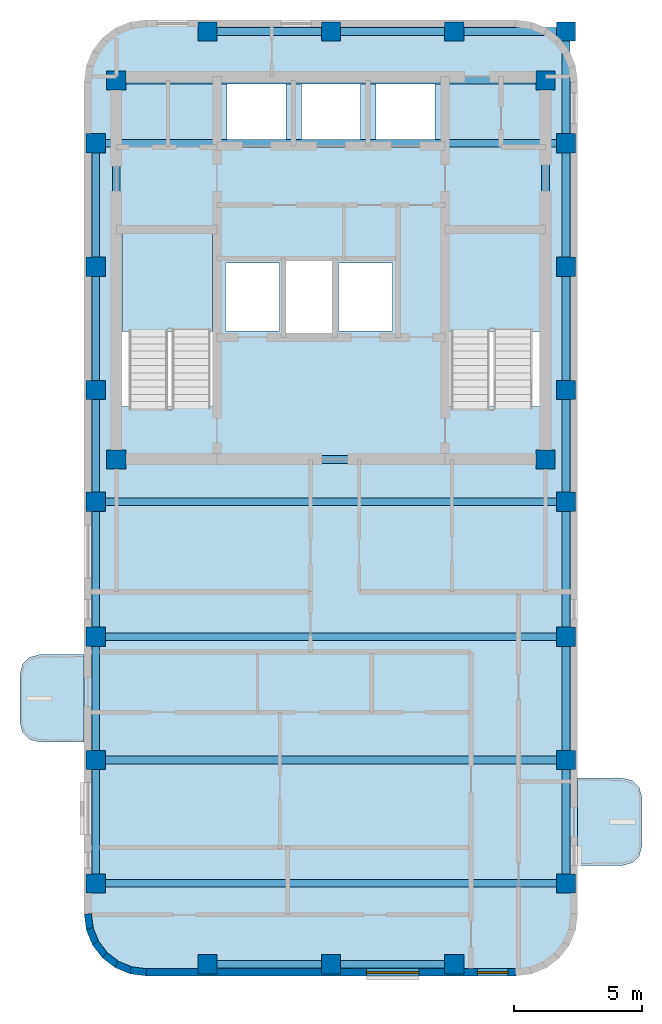
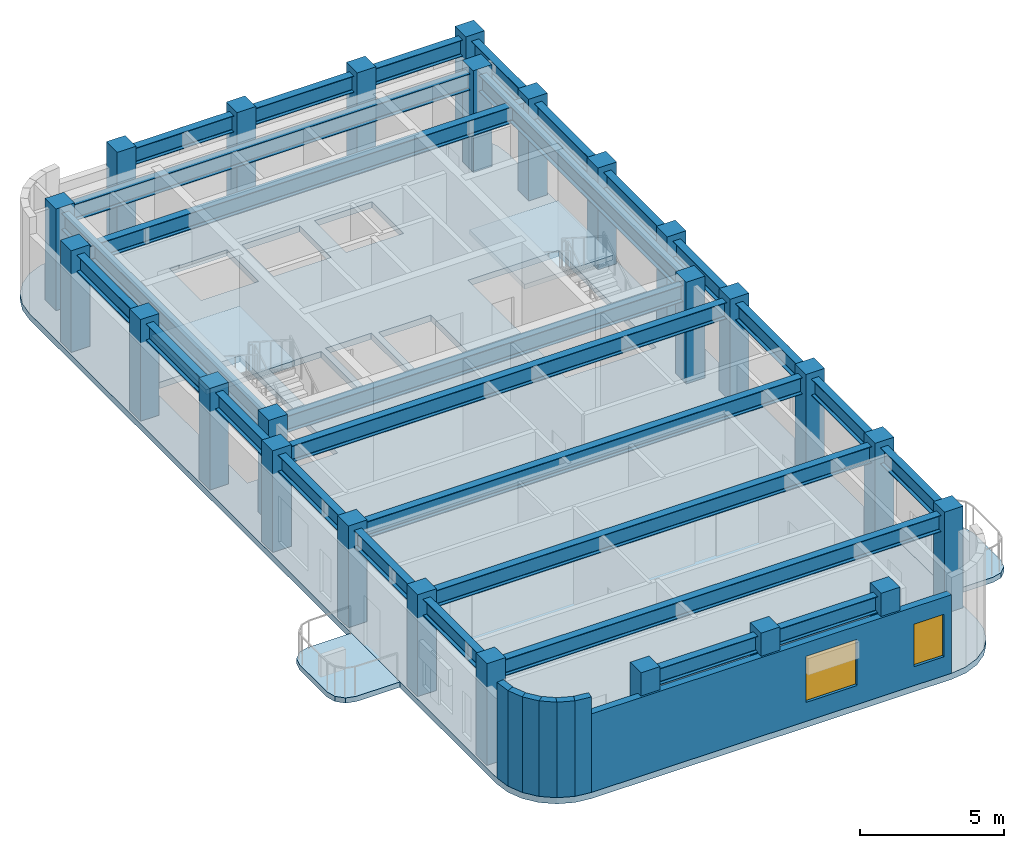
# One storey, part 1 of 5: 27 beams, 25 columns, 7 walls, 5 slabs, 2 windows, 2 openings, 2 elements without a shape of their own.
"""IFC4 building model written with IfcOpenShell, lengths in metres."""

from ifc_helpers import new_model, si_unit, direction, frame, frame_2d, origin, origin_2d, place, context, subcontext, project, spatial, polyline, rectangle, i_section, outline, extrude, material, layer, layer_set, material_profile, profile_set, type_object, element, fill, aggregate, save


model = new_model("IFC4")

# Units and contexts
model_context = context("Model", 3, precision=1e-05, world=origin(), true_north=direction((0.0, 1.0)))
body_context = subcontext(model_context, "Body", "Model", "MODEL_VIEW")
ifc_project = project(units=[si_unit("LENGTHUNIT", "METRE"), si_unit("AREAUNIT", "SQUARE_METRE"), si_unit("VOLUMEUNIT", "CUBIC_METRE"), si_unit("PLANEANGLEUNIT", "RADIAN"), si_unit("MASSUNIT", "GRAM", prefix="KILO")], contexts=[model_context])

# Site, building, storey
site_placement = place(None, origin())
site = spatial("IfcSite", under=ifc_project, at=site_placement, CompositionType="ELEMENT")
building_placement = place(site_placement, origin())
building = spatial("IfcBuilding", under=site, at=building_placement, Name="Orvandelia Arch Residences", CompositionType="ELEMENT")
storey_placement = place(building_placement, frame((0.0, 0.0, 282.800048828125)))
storey = spatial("IfcBuildingStorey", under=building, at=storey_placement, Name="L73", CompositionType="ELEMENT", Elevation=282.800048828125)

# Columns
ifc_material_1 = material(Name="Concrete C50/60", Category="concrete")
ifc_material_profile_1 = material_profile(ifc_material_1, rectangle(XDim=0.75, YDim=0.75, at=origin_2d()), Name="Concrete C50/60", Category="concrete")
ifc_profile_set_1 = profile_set([ifc_material_profile_1], Name="Concrete C50/60")
column_type = type_object("IfcColumnType", Name="COL-TWR-750", PredefinedType="COLUMN", material=ifc_profile_set_1)
for number, where, z_axis, x_axis, name in (
    (1, (5.25, 14.39990234375, 0.0), (0.0, 0.0, 1.0), (1.0, 0.0, 0.0), "Structural Column L73-W-W-144"),
    (2, (5.25, 19.199951171875, 0.0), (0.0, 0.0, 1.0), (1.0, 0.0, 0.0), "Structural Column L73-W-W-192"),
    (3, (5.25, 24.0, 0.0), (0.0, 0.0, 1.0), (1.0, 0.0, 0.0), "Structural Column L73-W-W-240"),
    (4, (5.25, 29.25, 0.0), (0.0, 0.0, 1.0), (1.0, 0.0, 0.0), "Structural Column L73-W-W-292"),
    (5, (5.25, 33.60009765625, 0.0), (0.0, 0.0, 1.0), (1.0, 0.0, 0.0), "Structural Column L73-W-W-336"),
    (6, (5.25, 38.39990234375, 0.0), (0.0, 0.0, 1.0), (1.0, 0.0, 0.0), "Structural Column L73-W-W-384"),
    (7, (5.25, 43.199951171875, 0.0), (0.0, 0.0, 1.0), (1.0, 0.0, 0.0), "Structural Column L73-W-W-432"),
    (8, (6.050048828125, 30.89990234375, 0.0), (0.0, 0.0, 1.0), (1.0, 0.0, 0.0), "Structural Column L73-CR-SW"),
    (9, (6.050048828125, 45.64990234375, 0.0), (0.0, 0.0, 1.0), (1.0, 0.0, 0.0), "Structural Column L73-CR-NW"),
    (10, (9.60009765625, 11.25, 0.0), (0.0, 0.0, 1.0), (1.0, 0.0, 0.0), "Structural Column L73-W-S-96"),
    (11, (9.60009765625, 47.550048828125, 0.0), (0.0, 0.0, 1.0), (1.0, 0.0, 0.0), "Structural Column L73-W-N-96"),
    (12, (14.39990234375, 11.25, 0.0), (0.0, 0.0, 1.0), (1.0, 0.0, 0.0), "Structural Column L73-W-S-144"),
    (13, (14.39990234375, 47.550048828125, 0.0), (0.0, 0.0, 1.0), (1.0, 0.0, 0.0), "Structural Column L73-W-N-144"),
    (14, (19.199951171875, 11.25, 0.0), (0.0, 0.0, 1.0), (1.0, 0.0, 0.0), "Structural Column L73-W-S-192"),
    (15, (19.199951171875, 47.550048828125, 0.0), (0.0, 0.0, 1.0), (1.0, 0.0, 0.0), "Structural Column L73-W-N-192"),
    (16, (22.75, 30.89990234375, 0.0), (0.0, 0.0, 1.0), (1.0, 0.0, 0.0), "Structural Column L73-CR-SE"),
    (17, (22.75, 45.64990234375, 0.0), (0.0, 0.0, 1.0), (1.0, 0.0, 0.0), "Structural Column L73-CR-NE"),
    (18, (23.550048828125, 14.39990234375, 0.0), (0.0, 0.0, 1.0), (1.0, 0.0, 0.0), "Structural Column L73-W-E-144"),
    (19, (23.550048828125, 19.199951171875, 0.0), (0.0, 0.0, 1.0), (1.0, 0.0, 0.0), "Structural Column L73-W-E-192"),
    (20, (23.550048828125, 24.0, 0.0), (0.0, 0.0, 1.0), (1.0, 0.0, 0.0), "Structural Column L73-W-E-240"),
    (21, (23.550048828125, 29.25, 0.0), (0.0, 0.0, 1.0), (1.0, 0.0, 0.0), "Structural Column L73-W-E-292"),
    (22, (23.550048828125, 33.60009765625, 0.0), (0.0, 0.0, 1.0), (1.0, 0.0, 0.0), "Structural Column L73-W-E-336"),
    (23, (23.550048828125, 38.39990234375, 0.0), (0.0, 0.0, 1.0), (1.0, 0.0, 0.0), "Structural Column L73-W-E-384"),
    (24, (23.550048828125, 43.199951171875, 0.0), (0.0, 0.0, 1.0), (1.0, 0.0, 0.0), "Structural Column L73-W-E-432"),
    (25, (23.550048828125, 47.550048828125, 0.0), (0.0, 0.0, 1.0), (1.0, 0.0, 0.0), "Structural Column L73-W-N-235"),
):
    element("IfcColumn", number, at=place(storey_placement, frame(where, z_axis=z_axis, x_axis=x_axis)), inside=storey, type_object=column_type, Name=name, PredefinedType="COLUMN", context=body_context, shape_type="SweptSolid", body=[
        extrude(rectangle(XDim=0.75, YDim=0.75, at=origin_2d()), origin(), (0.0, 0.0, 1.0), 4.300048828125),
    ])

# Beams
ifc_material_2 = material(Name="Structural Steel SM355 (355 MPa)", Category="steel")
ifc_material_profile_2 = material_profile(ifc_material_2, i_section(OverallWidth=0.300048828125, OverallDepth=0.699951171875, WebThickness=0.012939453125, FlangeThickness=0.02392578125, FilletRadius=0.02392578125, at=origin_2d()), Name="Structural Steel SM355 (355 MPa)", Category="steel")
ifc_profile_set_2 = profile_set([ifc_material_profile_2], Name="Structural Steel SM355 (355 MPa)")
beam_type = type_object("IfcBeamType", Name="BM-GRD-H700", PredefinedType="BEAM", material=ifc_profile_set_2)
for number, where, z_axis, x_axis, name in (
    (26, (5.25, 14.39990234375, 3.68994140625), (0.0, 1.0, 0.0), (-1.0, 0.0, 0.0), "Structural Frame Beam L73-NS-001"),
    (27, (5.25, 19.199951171875, 3.68994140625), (0.0, 1.0, 0.0), (-1.0, 0.0, 0.0), "Structural Frame Beam L73-NS-002"),
):
    element("IfcBeam", number, at=place(storey_placement, frame(where, z_axis=z_axis, x_axis=x_axis)), inside=storey, type_object=beam_type, Name=name, PredefinedType="BEAM", context=body_context, shape_type="SweptSolid", body=[
        extrude(i_section(OverallWidth=0.300048828125, OverallDepth=0.699951171875, WebThickness=0.012939453125, FlangeThickness=0.02392578125, FilletRadius=0.02392578125, at=origin_2d()), origin(), (0.0, 0.0, 1.0), 4.800048828125),
    ])
beam_1_placement = place(storey_placement, frame((5.25, 24.0, 3.68994140625), z_axis=(0.0, 1.0, 0.0), x_axis=(-1.0, 0.0, 0.0)))
element("IfcBeam", 28, at=beam_1_placement, inside=storey, type_object=beam_type, Name="Structural Frame Beam L73-NS-003", PredefinedType="BEAM", context=body_context, shape_type="SweptSolid", body=[
    extrude(i_section(OverallWidth=0.300048828125, OverallDepth=0.699951171875, WebThickness=0.012939453125, FlangeThickness=0.02392578125, FilletRadius=0.02392578125, at=origin_2d()), origin(), (0.0, 0.0, 1.0), 5.25),
])
beam_2_placement = place(storey_placement, frame((5.25, 29.25, 3.68994140625), z_axis=(0.0, 1.0, 0.0), x_axis=(-1.0, 0.0, 0.0)))
element("IfcBeam", 29, at=beam_2_placement, inside=storey, type_object=beam_type, Name="Structural Frame Beam L73-NS-004", PredefinedType="BEAM", context=body_context, shape_type="SweptSolid", body=[
    extrude(i_section(OverallWidth=0.300048828125, OverallDepth=0.699951171875, WebThickness=0.012939453125, FlangeThickness=0.02392578125, FilletRadius=0.02392578125, at=origin_2d()), origin(), (0.0, 0.0, 1.0), 4.35009765625),
])
beam_3_placement = place(storey_placement, frame((5.25, 33.60009765625, 3.68994140625), z_axis=(0.0, 1.0, 0.0), x_axis=(-1.0, 0.0, 0.0)))
element("IfcBeam", 30, at=beam_3_placement, inside=storey, type_object=beam_type, Name="Structural Frame Beam L73-NS-005", PredefinedType="BEAM", context=body_context, shape_type="SweptSolid", body=[
    extrude(i_section(OverallWidth=0.300048828125, OverallDepth=0.699951171875, WebThickness=0.012939453125, FlangeThickness=0.02392578125, FilletRadius=0.02392578125, at=origin_2d()), origin(), (0.0, 0.0, 1.0), 4.7998046875),
])
beam_4_placement = place(storey_placement, frame((5.25, 38.39990234375, 3.68994140625), z_axis=(0.0, 1.0, 0.0), x_axis=(-1.0, 0.0, 0.0)))
element("IfcBeam", 31, at=beam_4_placement, inside=storey, type_object=beam_type, Name="Structural Frame Beam L73-NS-006", PredefinedType="BEAM", context=body_context, shape_type="SweptSolid", body=[
    extrude(i_section(OverallWidth=0.300048828125, OverallDepth=0.699951171875, WebThickness=0.012939453125, FlangeThickness=0.02392578125, FilletRadius=0.02392578125, at=origin_2d()), origin(), (0.0, 0.0, 1.0), 4.800048828125),
])
for number, where, z_axis, x_axis, name in (
    (32, (6.050048828125, 30.89990234375, 3.68994140625), (0.0, 1.0, 0.0), (-1.0, 0.0, 0.0), "Structural Frame Beam L73-NS-007"),
    (33, (22.75, 30.89990234375, 3.68994140625), (0.0, 1.0, 0.0), (-1.0, 0.0, 0.0), "Structural Frame Beam L73-NS-008"),
):
    element("IfcBeam", number, at=place(storey_placement, frame(where, z_axis=z_axis, x_axis=x_axis)), inside=storey, type_object=beam_type, Name=name, PredefinedType="BEAM", context=body_context, shape_type="SweptSolid", body=[
        extrude(i_section(OverallWidth=0.300048828125, OverallDepth=0.699951171875, WebThickness=0.012939453125, FlangeThickness=0.02392578125, FilletRadius=0.02392578125, at=origin_2d()), origin(), (0.0, 0.0, 1.0), 14.75),
    ])
for number, where, z_axis, x_axis, name in (
    (34, (23.550048828125, 14.39990234375, 3.68994140625), (0.0, 1.0, 0.0), (-1.0, 0.0, 0.0), "Structural Frame Beam L73-NS-009"),
    (35, (23.550048828125, 19.199951171875, 3.68994140625), (0.0, 1.0, 0.0), (-1.0, 0.0, 0.0), "Structural Frame Beam L73-NS-010"),
):
    element("IfcBeam", number, at=place(storey_placement, frame(where, z_axis=z_axis, x_axis=x_axis)), inside=storey, type_object=beam_type, Name=name, PredefinedType="BEAM", context=body_context, shape_type="SweptSolid", body=[
        extrude(i_section(OverallWidth=0.300048828125, OverallDepth=0.699951171875, WebThickness=0.012939453125, FlangeThickness=0.02392578125, FilletRadius=0.02392578125, at=origin_2d()), origin(), (0.0, 0.0, 1.0), 4.800048828125),
    ])
beam_5_placement = place(storey_placement, frame((23.550048828125, 24.0, 3.68994140625), z_axis=(0.0, 1.0, 0.0), x_axis=(-1.0, 0.0, 0.0)))
element("IfcBeam", 36, at=beam_5_placement, inside=storey, type_object=beam_type, Name="Structural Frame Beam L73-NS-011", PredefinedType="BEAM", context=body_context, shape_type="SweptSolid", body=[
    extrude(i_section(OverallWidth=0.300048828125, OverallDepth=0.699951171875, WebThickness=0.012939453125, FlangeThickness=0.02392578125, FilletRadius=0.02392578125, at=origin_2d()), origin(), (0.0, 0.0, 1.0), 5.25),
])
beam_6_placement = place(storey_placement, frame((23.550048828125, 29.25, 3.68994140625), z_axis=(0.0, 1.0, 0.0), x_axis=(-1.0, 0.0, 0.0)))
element("IfcBeam", 37, at=beam_6_placement, inside=storey, type_object=beam_type, Name="Structural Frame Beam L73-NS-012", PredefinedType="BEAM", context=body_context, shape_type="SweptSolid", body=[
    extrude(i_section(OverallWidth=0.300048828125, OverallDepth=0.699951171875, WebThickness=0.012939453125, FlangeThickness=0.02392578125, FilletRadius=0.02392578125, at=origin_2d()), origin(), (0.0, 0.0, 1.0), 4.35009765625),
])
beam_7_placement = place(storey_placement, frame((23.550048828125, 33.60009765625, 3.68994140625), z_axis=(0.0, 1.0, 0.0), x_axis=(-1.0, 0.0, 0.0)))
element("IfcBeam", 38, at=beam_7_placement, inside=storey, type_object=beam_type, Name="Structural Frame Beam L73-NS-013", PredefinedType="BEAM", context=body_context, shape_type="SweptSolid", body=[
    extrude(i_section(OverallWidth=0.300048828125, OverallDepth=0.699951171875, WebThickness=0.012939453125, FlangeThickness=0.02392578125, FilletRadius=0.02392578125, at=origin_2d()), origin(), (0.0, 0.0, 1.0), 4.7998046875),
])
beam_8_placement = place(storey_placement, frame((23.550048828125, 38.39990234375, 3.68994140625), z_axis=(0.0, 1.0, 0.0), x_axis=(-1.0, 0.0, 0.0)))
element("IfcBeam", 39, at=beam_8_placement, inside=storey, type_object=beam_type, Name="Structural Frame Beam L73-NS-014", PredefinedType="BEAM", context=body_context, shape_type="SweptSolid", body=[
    extrude(i_section(OverallWidth=0.300048828125, OverallDepth=0.699951171875, WebThickness=0.012939453125, FlangeThickness=0.02392578125, FilletRadius=0.02392578125, at=origin_2d()), origin(), (0.0, 0.0, 1.0), 4.800048828125),
])
beam_9_placement = place(storey_placement, frame((23.550048828125, 43.199951171875, 3.68994140625), z_axis=(0.0, 1.0, 0.0), x_axis=(-1.0, 0.0, 0.0)))
element("IfcBeam", 40, at=beam_9_placement, inside=storey, type_object=beam_type, Name="Structural Frame Beam L73-NS-015", PredefinedType="BEAM", context=body_context, shape_type="SweptSolid", body=[
    extrude(i_section(OverallWidth=0.300048828125, OverallDepth=0.699951171875, WebThickness=0.012939453125, FlangeThickness=0.02392578125, FilletRadius=0.02392578125, at=origin_2d()), origin(), (0.0, 0.0, 1.0), 4.35009765625),
])
beam_10_placement = place(storey_placement, frame((9.60009765625, 11.25, 3.68994140625), z_axis=(1.0, 0.0, 0.0), x_axis=(0.0, 1.0, 0.0)))
element("IfcBeam", 41, at=beam_10_placement, inside=storey, type_object=beam_type, Name="Structural Frame Girder L73-EW-016", PredefinedType="BEAM", context=body_context, shape_type="SweptSolid", body=[
    extrude(i_section(OverallWidth=0.300048828125, OverallDepth=0.699951171875, WebThickness=0.012939453125, FlangeThickness=0.02392578125, FilletRadius=0.02392578125, at=origin_2d()), origin(), (0.0, 0.0, 1.0), 4.7998046875),
])
beam_11_placement = place(storey_placement, frame((14.39990234375, 11.25, 3.68994140625), z_axis=(1.0, 0.0, 0.0), x_axis=(0.0, 1.0, 0.0)))
element("IfcBeam", 42, at=beam_11_placement, inside=storey, type_object=beam_type, Name="Structural Frame Girder L73-EW-017", PredefinedType="BEAM", context=body_context, shape_type="SweptSolid", body=[
    extrude(i_section(OverallWidth=0.300048828125, OverallDepth=0.699951171875, WebThickness=0.012939453125, FlangeThickness=0.02392578125, FilletRadius=0.02392578125, at=origin_2d()), origin(), (0.0, 0.0, 1.0), 4.800048828125),
])
for number, where, z_axis, x_axis, name in (
    (43, (5.25, 14.39990234375, 3.68994140625), (1.0, 0.0, 0.0), (0.0, 1.0, 0.0), "Structural Frame Girder L73-EW-018"),
    (44, (5.25, 19.199951171875, 3.68994140625), (1.0, 0.0, 0.0), (0.0, 1.0, 0.0), "Structural Frame Girder L73-EW-019"),
    (45, (5.25, 24.0, 3.68994140625), (1.0, 0.0, 0.0), (0.0, 1.0, 0.0), "Structural Frame Girder L73-EW-020"),
    (46, (5.25, 29.25, 3.68994140625), (1.0, 0.0, 0.0), (0.0, 1.0, 0.0), "Structural Frame Girder L73-EW-021"),
):
    element("IfcBeam", number, at=place(storey_placement, frame(where, z_axis=z_axis, x_axis=x_axis)), inside=storey, type_object=beam_type, Name=name, PredefinedType="BEAM", context=body_context, shape_type="SweptSolid", body=[
        extrude(i_section(OverallWidth=0.300048828125, OverallDepth=0.699951171875, WebThickness=0.012939453125, FlangeThickness=0.02392578125, FilletRadius=0.02392578125, at=origin_2d()), origin(), (0.0, 0.0, 1.0), 18.300048828125),
    ])
beam_12_placement = place(storey_placement, frame((6.050048828125, 30.89990234375, 3.68994140625), z_axis=(1.0, 0.0, 0.0), x_axis=(0.0, 1.0, 0.0)))
element("IfcBeam", 47, at=beam_12_placement, inside=storey, type_object=beam_type, Name="Structural Frame Girder L73-EW-022", PredefinedType="BEAM", context=body_context, shape_type="SweptSolid", body=[
    extrude(i_section(OverallWidth=0.300048828125, OverallDepth=0.699951171875, WebThickness=0.012939453125, FlangeThickness=0.02392578125, FilletRadius=0.02392578125, at=origin_2d()), origin(), (0.0, 0.0, 1.0), 16.699951171875),
])
beam_13_placement = place(storey_placement, frame((5.25, 43.199951171875, 3.68994140625), z_axis=(1.0, 0.0, 0.0), x_axis=(0.0, 1.0, 0.0)))
element("IfcBeam", 48, at=beam_13_placement, inside=storey, type_object=beam_type, Name="Structural Frame Girder L73-EW-025", PredefinedType="BEAM", context=body_context, shape_type="SweptSolid", body=[
    extrude(i_section(OverallWidth=0.300048828125, OverallDepth=0.699951171875, WebThickness=0.012939453125, FlangeThickness=0.02392578125, FilletRadius=0.02392578125, at=origin_2d()), origin(), (0.0, 0.0, 1.0), 18.300048828125),
])
beam_14_placement = place(storey_placement, frame((6.050048828125, 45.64990234375, 3.68994140625), z_axis=(1.0, 0.0, 0.0), x_axis=(0.0, 1.0, 0.0)))
element("IfcBeam", 49, at=beam_14_placement, inside=storey, type_object=beam_type, Name="Structural Frame Girder L73-EW-026", PredefinedType="BEAM", context=body_context, shape_type="SweptSolid", body=[
    extrude(i_section(OverallWidth=0.300048828125, OverallDepth=0.699951171875, WebThickness=0.012939453125, FlangeThickness=0.02392578125, FilletRadius=0.02392578125, at=origin_2d()), origin(), (0.0, 0.0, 1.0), 16.699951171875),
])
beam_15_placement = place(storey_placement, frame((9.60009765625, 47.550048828125, 3.68994140625), z_axis=(1.0, 0.0, 0.0), x_axis=(0.0, 1.0, 0.0)))
element("IfcBeam", 50, at=beam_15_placement, inside=storey, type_object=beam_type, Name="Structural Frame Girder L73-EW-027", PredefinedType="BEAM", context=body_context, shape_type="SweptSolid", body=[
    extrude(i_section(OverallWidth=0.300048828125, OverallDepth=0.699951171875, WebThickness=0.012939453125, FlangeThickness=0.02392578125, FilletRadius=0.02392578125, at=origin_2d()), origin(), (0.0, 0.0, 1.0), 4.7998046875),
])
beam_16_placement = place(storey_placement, frame((14.39990234375, 47.550048828125, 3.68994140625), z_axis=(1.0, 0.0, 0.0), x_axis=(0.0, 1.0, 0.0)))
element("IfcBeam", 51, at=beam_16_placement, inside=storey, type_object=beam_type, Name="Structural Frame Girder L73-EW-028", PredefinedType="BEAM", context=body_context, shape_type="SweptSolid", body=[
    extrude(i_section(OverallWidth=0.300048828125, OverallDepth=0.699951171875, WebThickness=0.012939453125, FlangeThickness=0.02392578125, FilletRadius=0.02392578125, at=origin_2d()), origin(), (0.0, 0.0, 1.0), 4.800048828125),
])
beam_17_placement = place(storey_placement, frame((19.199951171875, 47.550048828125, 3.68994140625), z_axis=(1.0, 0.0, 0.0), x_axis=(0.0, 1.0, 0.0)))
element("IfcBeam", 52, at=beam_17_placement, inside=storey, type_object=beam_type, Name="Structural Frame Girder L73-EW-029", PredefinedType="BEAM", context=body_context, shape_type="SweptSolid", body=[
    extrude(i_section(OverallWidth=0.300048828125, OverallDepth=0.699951171875, WebThickness=0.012939453125, FlangeThickness=0.02392578125, FilletRadius=0.02392578125, at=origin_2d()), origin(), (0.0, 0.0, 1.0), 4.35009765625),
])

# Slabs
ifc_material_3 = material(Name="Precast concrete C40/50", Category="concrete")
ifc_layer_1 = layer(ifc_material_3, 0.219970703125, Name="Precast concrete C40/50", Category="concrete")
ifc_layer_set_1 = layer_set([ifc_layer_1], Name="Precast concrete C40/50")
slab_type_1 = type_object("IfcSlabType", Name="SLB-BAL-220", PredefinedType="USERDEFINED", material=ifc_layer_set_1)
slab_1_placement = place(storey_placement, frame((0.0, 0.0, -0.219970703125)))
element("IfcSlab", 53, at=slab_1_placement, inside=storey, type_object=slab_type_1, Name="Tree Balcony Cantilever Slab BAL-L73-W1", ObjectType="BALCONY", PredefinedType="USERDEFINED", context=body_context, shape_type="SweptSolid", body=[
    extrude(outline(polyline([(4.800048828125, 19.89990234375), (4.800048828125, 23.300048828125), (3.050048828125, 23.300048828125), (2.675048828125, 23.199462890625), (2.400390625, 22.925048828125), (2.300048828125, 22.550048828125), (2.300048828125, 20.64990234375), (2.400390625, 20.27490234375), (2.675048828125, 20.00048828125), (3.050048828125, 19.89990234375), (4.800048828125, 19.89990234375)])), origin(), (0.0, 0.0, 1.0), 0.219970703125),
])
slab_2_placement = place(storey_placement, frame((0.0, 0.0, -0.219970703125)))
element("IfcSlab", 54, at=slab_2_placement, inside=storey, type_object=slab_type_1, Name="Tree Balcony Cantilever Slab BAL-L73-W2", ObjectType="BALCONY", PredefinedType="USERDEFINED", context=body_context, shape_type="SweptSolid", body=[
    extrude(outline(polyline([(24.0, 18.5), (24.0, 15.10009765625), (25.75, 15.10009765625), (26.125, 15.200439453125), (26.3994140625, 15.47509765625), (26.5, 15.85009765625), (26.5, 17.75), (26.3994140625, 18.125), (26.125, 18.3994140625), (25.75, 18.5), (24.0, 18.5)])), origin(), (0.0, 0.0, 1.0), 0.219970703125),
])

# Stair, slab
ifc_material_4 = material(Name="Concrete C40/50", Category="concrete")
stair_type = type_object("IfcStairType", Name="STAIR-RC-DOGLEG", PredefinedType="HALF_TURN_STAIR", material=ifc_material_4)
stair_1_placement = place(storey_placement, origin())
stair_1 = element("IfcStair", 55, at=stair_1_placement, inside=storey, type_object=stair_type, Name="L73 Protected Exit Stair ST-1", PredefinedType="HALF_TURN_STAIR")
ifc_layer_2 = layer(ifc_material_4, 0.219970703125, Name="Concrete C40/50", Category="concrete")
ifc_layer_set_2 = layer_set([ifc_layer_2], Name="Concrete C40/50")
slab_type_2 = type_object("IfcSlabType", Name="SLB-LANDING-220", PredefinedType="LANDING", material=ifc_layer_set_2)
slab_3_placement = place(storey_placement, frame((0.0, 0.0, 1.949951171875)))
slab_3 = element("IfcSlab", 56, at=slab_3_placement, type_object=slab_type_2, Name="ST-1 landing 1", PredefinedType="LANDING", context=body_context, shape_type="SweptSolid", body=[
    extrude(outline(polyline([(9.800048828125, 35.8701171875), (9.800048828125, 39.68994140625), (6.260009765625, 39.68994140625), (6.260009765625, 35.8701171875), (9.800048828125, 35.8701171875)])), origin(), (0.0, 0.0, 1.0), 0.199951171875),
])
aggregate(stair_1, [slab_3])

stair_2_placement = place(storey_placement, origin())
stair_2 = element("IfcStair", 57, at=stair_2_placement, inside=storey, type_object=stair_type, Name="L73 Protected Exit Stair ST-2", PredefinedType="HALF_TURN_STAIR")
slab_4_placement = place(storey_placement, frame((0.0, 0.0, 1.949951171875)))
slab_4 = element("IfcSlab", 58, at=slab_4_placement, type_object=slab_type_2, Name="ST-2 landing 1", PredefinedType="LANDING", context=body_context, shape_type="SweptSolid", body=[
    extrude(outline(polyline([(22.5400390625, 35.8701171875), (22.5400390625, 39.68994140625), (19.0, 39.68994140625), (19.0, 35.8701171875), (22.5400390625, 35.8701171875)])), origin(), (0.0, 0.0, 1.0), 0.199951171875),
])
aggregate(stair_2, [slab_4])

# Slab
ifc_layer_3 = layer(ifc_material_4, 0.260009765625, Name="Concrete C40/50", Category="concrete")
ifc_layer_set_3 = layer_set([ifc_layer_3], Name="Concrete C40/50")
slab_type_3 = type_object("IfcSlabType", Name="SLB-TWR-260", PredefinedType="FLOOR", material=ifc_layer_set_3)
slab_5_placement = place(storey_placement, frame((0.0, 0.0, -0.260009765625)))
element("IfcSlab", 59, at=slab_5_placement, inside=storey, type_object=slab_type_3, Name="Structural Floor Slab L73-1", PredefinedType="FLOOR", context=body_context, shape_type="SweptSolid", body=[
    extrude(outline(polyline([(4.800048828125, 13.199951171875), (4.8818359375, 12.578857421875), (5.12158203125, 12.0), (5.5029296875, 11.5029296875), (6.0, 11.12158203125), (6.578857421875, 10.8818359375), (7.199951171875, 10.800048828125), (21.60009765625, 10.800048828125), (22.22119140625, 10.8818359375), (22.800048828125, 11.12158203125), (23.297119140625, 11.5029296875), (23.678466796875, 12.0), (23.918212890625, 12.578857421875), (24.0, 13.199951171875), (24.0, 45.60009765625), (23.918212890625, 46.22119140625), (23.678466796875, 46.800048828125), (23.297119140625, 47.297119140625), (22.800048828125, 47.678466796875), (22.22119140625, 47.918212890625), (21.60009765625, 48.0), (7.199951171875, 48.0), (6.578857421875, 47.918212890625), (6.0, 47.678466796875), (5.5029296875, 47.297119140625), (5.12158203125, 46.800048828125), (4.8818359375, 46.22119140625), (4.800048828125, 45.60009765625), (4.800048828125, 13.199951171875)]), holes=[polyline([(6.219970703125, 32.949951171875), (9.840087890625, 32.949951171875), (9.840087890625, 39.72998046875), (6.219970703125, 39.72998046875), (6.219970703125, 32.949951171875)]), polyline([(18.9599609375, 32.949951171875), (22.580078125, 32.949951171875), (22.580078125, 39.72998046875), (18.9599609375, 39.72998046875), (18.9599609375, 32.949951171875)]), polyline([(12.639892578125, 35.81005859375), (14.4599609375, 35.81005859375), (14.4599609375, 38.639892578125), (12.639892578125, 38.639892578125), (12.639892578125, 35.81005859375)]), polyline([(10.300048828125, 35.89990234375), (12.39990234375, 35.89990234375), (12.39990234375, 38.550048828125), (10.300048828125, 38.550048828125), (10.300048828125, 35.89990234375)]), polyline([(14.699951171875, 35.89990234375), (16.800048828125, 35.89990234375), (16.800048828125, 38.550048828125), (14.699951171875, 38.550048828125), (14.699951171875, 35.89990234375)]), polyline([(10.35009765625, 43.300048828125), (12.64990234375, 43.300048828125), (12.64990234375, 45.5), (10.35009765625, 45.5), (10.35009765625, 43.300048828125)]), polyline([(13.25, 43.300048828125), (15.550048828125, 43.300048828125), (15.550048828125, 45.5), (13.25, 45.5), (13.25, 43.300048828125)]), polyline([(16.14990234375, 43.300048828125), (18.449951171875, 43.300048828125), (18.449951171875, 45.5), (16.14990234375, 45.5), (16.14990234375, 43.300048828125)])]), origin(), (0.0, 0.0, 1.0), 0.260009765625),
])

# Wall, openings, windows
ifc_layer_4 = layer(ifc_material_3, 0.280029296875, Name="Precast concrete C40/50", Category="concrete")
ifc_layer_set_4 = layer_set([ifc_layer_4], Name="Precast concrete C40/50")
wall_type = type_object("IfcWallType", Name="WL-EXT-STONE-280", PredefinedType="STANDARD", material=ifc_layer_set_4)
wall_1_placement = place(storey_placement, frame((21.60009765625, 10.93994140625, 0.0), z_axis=(0.0, 0.0, 1.0), x_axis=(-1.0, 0.0, 0.0)))
wall_1 = element("IfcWall", 60, at=wall_1_placement, inside=storey, type_object=wall_type, Name="Coral-Limestone Precast Facade Wall L73-021", PredefinedType="STANDARD", context=body_context, shape_type="SweptSolid", body=[
    extrude(rectangle(XDim=14.400146484375, YDim=0.280029296875, at=frame_2d((7.2001953125, 0.0))), origin(), (0.0, 0.0, 1.0), 3.320068359375),
])
opening_1_placement = place(wall_1_placement, frame((3.77490234375, 0.0, 0.800048828125)))
opening_1 = element("IfcOpeningElement", 61, at=opening_1_placement, cuts=wall_1, Name="Opening W8", PredefinedType="OPENING", context=body_context, shape_type="SweptSolid", body=[
    extrude(rectangle(XDim=2.050048828125, YDim=1.949951171875, at=frame_2d((1.02490234375, 0.97509765625))), frame((0.0, 0.14990234375, 0.0), z_axis=(0.0, -1.0, 0.0), x_axis=(1.0, 0.0, 0.0)), (0.0, 0.0, 1.0), 0.300048828125),
])
opening_2_placement = place(wall_1_placement, frame((0.304931640625, 0.0, 0.800048828125)))
opening_2 = element("IfcOpeningElement", 62, at=opening_2_placement, cuts=wall_1, Name="Opening W3", PredefinedType="OPENING", context=body_context, shape_type="SweptSolid", body=[
    extrude(rectangle(XDim=1.199951171875, YDim=1.800048828125, at=frame_2d((0.60009765625, 0.89990234375))), frame((0.0, 0.14990234375, 0.0), z_axis=(0.0, -1.0, 0.0), x_axis=(1.0, 0.0, 0.0)), (0.0, 0.0, 1.0), 0.300048828125),
])
ifc_material_5 = material(Name="Tempered Low-E Insulated Glazing", Category="glass")
window_type_1 = type_object("IfcWindowType", Name="WIN-RES-1200x1800", PartitioningType="SINGLE_PANEL", PredefinedType="WINDOW", material=ifc_material_5)
window_1_placement = place(opening_2_placement, origin())
window_1 = element("IfcWindow", 63, at=window_1_placement, inside=storey, type_object=window_type_1, Name="Recessed Punched Window L73-007", OverallHeight=1.800048828125, OverallWidth=1.199951171875, PartitioningType="SINGLE_PANEL", PredefinedType="WINDOW", context=body_context, shape_type="SweptSolid", body=[
    extrude(rectangle(XDim=1.199951171875, YDim=1.800048828125, at=frame_2d((0.60009765625, 0.89990234375))), frame((0.0, 0.030029296875, 0.0), z_axis=(0.0, -1.0, 0.0), x_axis=(1.0, 0.0, 0.0)), (0.0, 0.0, 1.0), 0.06005859375),
])
fill(opening_2, window_1)
window_type_2 = type_object("IfcWindowType", Name="WIN-UPP-2050x1950", PartitioningType="SINGLE_PANEL", PredefinedType="WINDOW", material=ifc_material_5)
window_2_placement = place(opening_1_placement, origin())
window_2 = element("IfcWindow", 64, at=window_2_placement, inside=storey, type_object=window_type_2, Name="Recessed Punched Window L73-006", OverallHeight=1.949951171875, OverallWidth=2.050048828125, PartitioningType="SINGLE_PANEL", PredefinedType="WINDOW", context=body_context, shape_type="SweptSolid", body=[
    extrude(rectangle(XDim=2.050048828125, YDim=1.949951171875, at=frame_2d((1.02490234375, 0.97509765625))), frame((0.0, 0.030029296875, 0.0), z_axis=(0.0, -1.0, 0.0), x_axis=(1.0, 0.0, 0.0)), (0.0, 0.0, 1.0), 0.06005859375),
])
fill(opening_1, window_2)

# Walls
wall_2_placement = place(storey_placement, frame((7.21826171875, 10.938720703125, 0.0), z_axis=(0.0, 0.0, 1.0), x_axis=(-0.9914410257, 0.130555323746, 0.0)))
element("IfcWall", 65, at=wall_2_placement, inside=storey, type_object=wall_type, Name="Coral-Limestone Precast Facade Wall L73-022", PredefinedType="STANDARD", context=body_context, shape_type="SweptSolid", body=[
    extrude(rectangle(XDim=0.62646484375, YDim=0.280029296875, at=frame_2d((0.313232421875, 0.0))), origin(), (0.0, 0.0, 1.0), 4.0400390625),
])
wall_3_placement = place(storey_placement, frame((6.63232421875, 11.010986328125, 0.0), z_axis=(0.0, 0.0, 1.0), x_axis=(-0.923836271867, 0.382787856107, 0.0)))
element("IfcWall", 66, at=wall_3_placement, inside=storey, type_object=wall_type, Name="Coral-Limestone Precast Facade Wall L73-023", PredefinedType="STANDARD", context=body_context, shape_type="SweptSolid", body=[
    extrude(rectangle(XDim=0.626220703125, YDim=0.280029296875, at=frame_2d((0.31298828125, 0.0))), origin(), (0.0, 0.0, 1.0), 4.0400390625),
])
for number, where, z_axis, x_axis, name in (
    (67, (6.085205078125, 11.232666015625, 0.0), (0.0, 0.0, 1.0), (-0.793405610854, 0.608693302629, 0.0), "Coral-Limestone Precast Facade Wall L73-024"),
    (68, (5.614013671875, 11.588134765625, 0.0), (0.0, 0.0, 1.0), (-0.608693302629, 0.793405610854, 0.0), "Coral-Limestone Precast Facade Wall L73-025"),
):
    element("IfcWall", number, at=place(storey_placement, frame(where, z_axis=z_axis, x_axis=x_axis)), inside=storey, type_object=wall_type, Name=name, PredefinedType="STANDARD", context=body_context, shape_type="SweptSolid", body=[
        extrude(rectangle(XDim=0.62646484375, YDim=0.280029296875, at=frame_2d((0.313232421875, 0.0))), origin(), (0.0, 0.0, 1.0), 4.0400390625),
    ])
wall_4_placement = place(storey_placement, frame((5.250732421875, 12.0537109375, 0.0), z_axis=(0.0, 0.0, 1.0), x_axis=(-0.382787856107, 0.923836271867, 0.0)))
element("IfcWall", 69, at=wall_4_placement, inside=storey, type_object=wall_type, Name="Coral-Limestone Precast Facade Wall L73-026", PredefinedType="STANDARD", context=body_context, shape_type="SweptSolid", body=[
    extrude(rectangle(XDim=0.626220703125, YDim=0.280029296875, at=frame_2d((0.31298828125, 0.0))), origin(), (0.0, 0.0, 1.0), 4.0400390625),
])
wall_5_placement = place(storey_placement, frame((5.0205078125, 12.59716796875, 0.0), z_axis=(0.0, 0.0, 1.0), x_axis=(-0.130555323746, 0.9914410257, 0.0)))
element("IfcWall", 70, at=wall_5_placement, inside=storey, type_object=wall_type, Name="Coral-Limestone Precast Facade Wall L73-027", PredefinedType="STANDARD", context=body_context, shape_type="SweptSolid", body=[
    extrude(rectangle(XDim=0.62646484375, YDim=0.280029296875, at=frame_2d((0.313232421875, 0.0))), origin(), (0.0, 0.0, 1.0), 4.0400390625),
])

save(model, "model.ifc")
